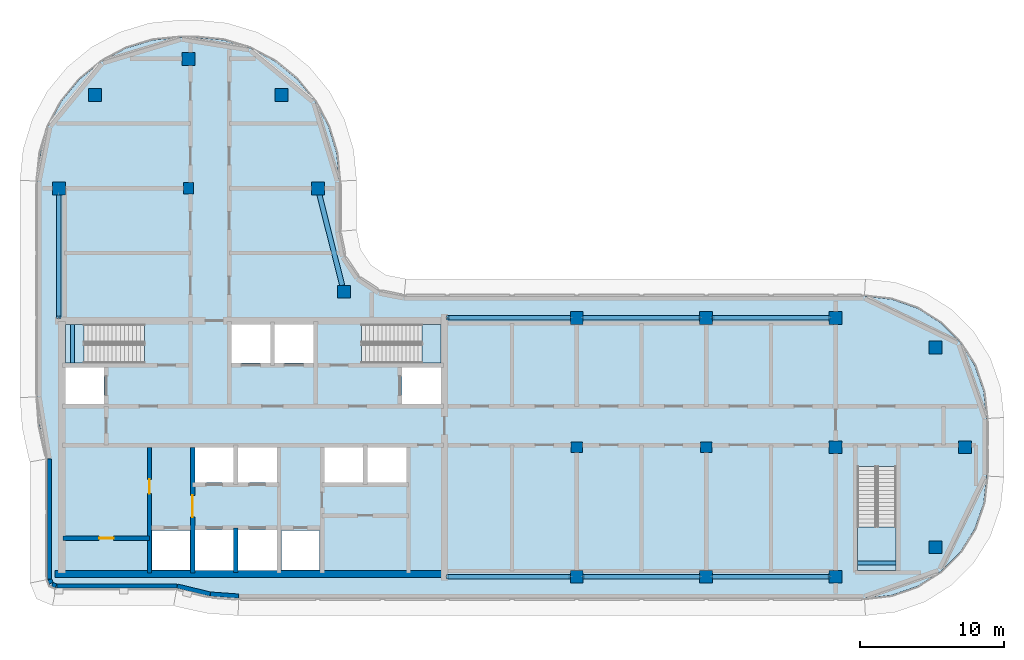
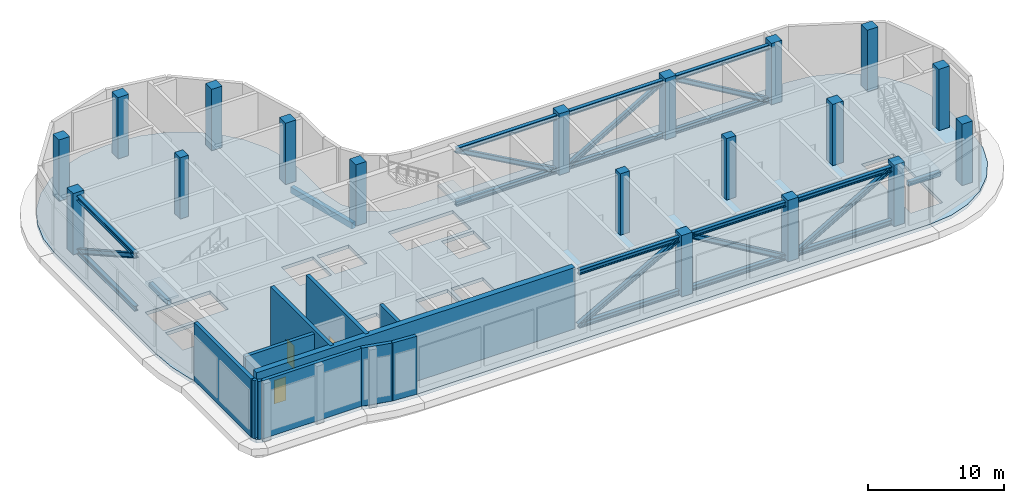
# One storey, part 1 of 14: 21 members, 19 columns, 11 walls, 4 slabs, 3 beams, 3 doors, 3 openings, 3 elements without a shape of their own.
"""IFC4 building model written with IfcOpenShell, lengths in metres."""

from ifc_helpers import new_model, si_unit, direction, frame, frame_2d, origin, origin_2d, place, context, subcontext, project, spatial, polyline, rectangle, i_section, outline, extrude, material, layer, layer_set, material_profile, profile_set, type_object, element, fill, aggregate, save


model = new_model("IFC4")

# Units and contexts
model_context = context("Model", 3, precision=1e-05, world=origin(), true_north=direction((0.0, 1.0)))
body_context = subcontext(model_context, "Body", "Model", "MODEL_VIEW")
ifc_project = project(units=[si_unit("LENGTHUNIT", "METRE"), si_unit("AREAUNIT", "SQUARE_METRE"), si_unit("VOLUMEUNIT", "CUBIC_METRE"), si_unit("PLANEANGLEUNIT", "RADIAN"), si_unit("MASSUNIT", "GRAM", prefix="KILO")], contexts=[model_context])

# Site, building, storey
site_placement = place(None, origin())
site = spatial("IfcSite", under=ifc_project, at=site_placement, CompositionType="ELEMENT")
building_placement = place(site_placement, origin())
building = spatial("IfcBuilding", under=site, at=building_placement, Name="Ogive Portal Towers", CompositionType="ELEMENT")
storey_placement = place(building_placement, frame((0.0, 0.0, 243.89990234375)))
storey = spatial("IfcBuildingStorey", under=building, at=storey_placement, Name="L61", CompositionType="ELEMENT", Elevation=243.89990234375)

# Columns
ifc_material_1 = material(Name="Concrete C60/75", Category="concrete")
ifc_material_profile_1 = material_profile(ifc_material_1, rectangle(XDim=0.800048828125, YDim=0.699951171875, at=origin_2d()), Name="RC 800x700")
ifc_profile_set_1 = profile_set([ifc_material_profile_1], Name="Concrete C60/75")
column_type_1 = type_object("IfcColumnType", Name="COLUMN RC 800x700", PredefinedType="COLUMN", material=ifc_profile_set_1)
for number, where, z_axis, x_axis, name in (
    (1, (67.5, 30.5, 0.0), (0.0, 0.0, 1.0), (1.0, 0.0, 0.0), "Column 5/B L61"),
    (2, (76.5, 30.5, 0.0), (0.0, 0.0, 1.0), (1.0, 0.0, 0.0), "Column 6/B L61"),
    (3, (40.5, 48.5, 0.0), (0.0, 0.0, 1.0), (0.0, 1.0, 0.0), "Column 2/D L61"),
):
    element("IfcColumn", number, at=place(storey_placement, frame(where, z_axis=z_axis, x_axis=x_axis)), inside=storey, type_object=column_type_1, Name=name, PredefinedType="COLUMN", context=body_context, shape_type="SweptSolid", body=[
        extrude(rectangle(XDim=0.800048828125, YDim=0.699951171875, at=origin_2d()), origin(), (0.0, 0.0, 1.0), 5.5),
    ])
ifc_material_profile_2 = material_profile(ifc_material_1, rectangle(XDim=0.89990234375, YDim=0.89990234375, at=origin_2d()), Name="RC 900x900")
ifc_profile_set_2 = profile_set([ifc_material_profile_2], Name="Concrete C60/75")
column_type_2 = type_object("IfcColumnType", Name="COLUMN RC 900x900", PredefinedType="COLUMN", material=ifc_profile_set_2)
for number, where, z_axis, x_axis, name in (
    (4, (67.5, 21.5, 0.0), (0.0, 0.0, 1.0), (1.0, 0.0, 0.0), "Column 5/A L61"),
    (5, (76.5, 21.5, 0.0), (0.0, 0.0, 1.0), (1.0, 0.0, 0.0), "Column 6/A L61"),
    (6, (85.5, 21.5, 0.0), (0.0, 0.0, 1.0), (1.0, 0.0, 0.0), "Column 7/A L61"),
    (7, (92.449951171875, 23.550048828125, 0.0), (0.0, 0.0, 1.0), (1.0, 0.0, 0.0), "Column L61"),
    (8, (85.5, 30.5, 0.0), (0.0, 0.0, 1.0), (1.0, 0.0, 0.0), "Column 7/B L61"),
    (9, (94.5, 30.5, 0.0), (0.0, 0.0, 1.0), (1.0, 0.0, 0.0), "Column 8/B L61"),
    (10, (92.449951171875, 37.449951171875, 0.0), (0.0, 0.0, 1.0), (1.0, 0.0, 0.0), "Column L61"),
    (11, (67.5, 39.5, 0.0), (0.0, 0.0, 1.0), (1.0, 0.0, 0.0), "Column 5/C L61"),
    (12, (76.5, 39.5, 0.0), (0.0, 0.0, 1.0), (1.0, 0.0, 0.0), "Column 6/C L61"),
    (13, (85.5, 39.5, 0.0), (0.0, 0.0, 1.0), (1.0, 0.0, 0.0), "Column 7/C L61"),
    (14, (51.31005859375, 41.31005859375, 0.0), (0.0, 0.0, 1.0), (1.0, 0.0, 0.0), "Column L61"),
    (15, (31.5, 48.5, 0.0), (0.0, 0.0, 1.0), (1.0, 0.0, 0.0), "Column 1/D L61"),
    (16, (49.5, 48.5, 0.0), (0.0, 0.0, 1.0), (1.0, 0.0, 0.0), "Column 3/D L61"),
    (17, (34.027099609375, 54.972900390625, 0.0), (0.0, 0.0, 1.0), (1.0, 0.0, 0.0), "Column L61"),
    (18, (46.972900390625, 54.972900390625, 0.0), (0.0, 0.0, 1.0), (1.0, 0.0, 0.0), "Column L61"),
    (19, (40.5, 57.5, 0.0), (0.0, 0.0, 1.0), (1.0, 0.0, 0.0), "Column 2/E L61"),
):
    element("IfcColumn", number, at=place(storey_placement, frame(where, z_axis=z_axis, x_axis=x_axis)), inside=storey, type_object=column_type_2, Name=name, PredefinedType="COLUMN", context=body_context, shape_type="SweptSolid", body=[
        extrude(rectangle(XDim=0.89990234375, YDim=0.89990234375, at=origin_2d()), origin(), (0.0, 0.0, 1.0), 5.5),
    ])

# Beams
ifc_material_2 = material(Name="Concrete C40/50", Category="concrete")
ifc_material_profile_3 = material_profile(ifc_material_2, rectangle(XDim=0.300048828125, YDim=0.39990234375, at=origin_2d()), Name="RC 300x400")
ifc_profile_set_3 = profile_set([ifc_material_profile_3], Name="Concrete C40/50")
beam_type_1 = type_object("IfcBeamType", Name="BEAM RC 300x400", PredefinedType="BEAM", material=ifc_profile_set_3)
for number, where, z_axis, x_axis, name in (
    (20, (32.449951171875, 36.35009765625, 2.35009765625), (0.0, 1.0, 0.0), (-1.0, 0.0, 0.0), "Landing beam L61"),
    (21, (87.0, 22.449951171875, 2.35009765625), (1.0, 0.0, 0.0), (0.0, 1.0, 0.0), "Landing beam L61"),
):
    element("IfcBeam", number, at=place(storey_placement, frame(where, z_axis=z_axis, x_axis=x_axis)), inside=storey, type_object=beam_type_1, Name=name, PredefinedType="BEAM", context=body_context, shape_type="SweptSolid", body=[
        extrude(rectangle(XDim=0.300048828125, YDim=0.39990234375, at=origin_2d()), origin(), (0.0, 0.0, 1.0), 2.699951171875),
    ])

# Members
ifc_material_3 = material(Name="Steel S355", Category="steel")
ifc_material_profile_4 = material_profile(ifc_material_3, i_section(OverallWidth=0.300048828125, OverallDepth=0.39990234375, WebThickness=0.013427734375, FlangeThickness=0.02392578125, FilletRadius=0.027099609375, at=origin_2d()), Name="HEB 400")
ifc_profile_set_4 = profile_set([ifc_material_profile_4], Name="Steel S355")
member_type_1 = type_object("IfcMemberType", Name="BRACE HEB 400", PredefinedType="BRACE", material=ifc_profile_set_4)
member_placement = place(storey_placement, frame((58.550048828125, 21.5, 0.216064453125), z_axis=(0.872152947724, 0.0, 0.489233314254), x_axis=(0.0, 1.0, 0.0)))
element("IfcMember", 22, at=member_placement, inside=storey, type_object=member_type_1, Name="Outrigger diagonal", PredefinedType="BRACE", context=body_context, shape_type="SweptSolid", body=[
    extrude(i_section(OverallWidth=0.300048828125, OverallDepth=0.39990234375, WebThickness=0.013427734375, FlangeThickness=0.02392578125, FilletRadius=0.027099609375, at=origin_2d()), origin(), (0.0, 0.0, 1.0), 9.74609375),
])
for number, where, z_axis, x_axis, name in (
    (23, (67.949951171875, 21.5, 4.984130859375), (0.861780599125, 0.0, -0.507281183342), (0.0, 1.0, 0.0), "Outrigger diagonal"),
    (24, (76.949951171875, 21.5, 0.216064453125), (0.861780599125, 0.0, 0.507281183342), (0.0, 1.0, 0.0), "Outrigger diagonal"),
    (25, (85.050048828125, 39.5, 0.216064453125), (-0.861780599125, 0.0, 0.507281183342), (0.0, -1.0, 0.0), "Outrigger diagonal"),
    (26, (76.050048828125, 39.5, 4.984130859375), (-0.861780599125, 0.0, -0.507281183342), (0.0, -1.0, 0.0), "Outrigger diagonal"),
):
    element("IfcMember", number, at=place(storey_placement, frame(where, z_axis=z_axis, x_axis=x_axis)), inside=storey, type_object=member_type_1, Name=name, PredefinedType="BRACE", context=body_context, shape_type="SweptSolid", body=[
        extrude(i_section(OverallWidth=0.300048828125, OverallDepth=0.39990234375, WebThickness=0.013427734375, FlangeThickness=0.02392578125, FilletRadius=0.027099609375, at=origin_2d()), origin(), (0.0, 0.0, 1.0), 9.399169921875),
    ])
for number, where, z_axis, x_axis, name in (
    (27, (67.050048828125, 39.5, 0.216064453125), (-0.872152947724, 0.0, 0.489233314254), (0.0, -1.0, 0.0), "Outrigger diagonal"),
    (28, (31.5, 48.050048828125, 0.216064453125), (0.0, -0.872152947724, 0.489233314254), (1.0, 0.0, 0.0), "Outrigger diagonal"),
):
    element("IfcMember", number, at=place(storey_placement, frame(where, z_axis=z_axis, x_axis=x_axis)), inside=storey, type_object=member_type_1, Name=name, PredefinedType="BRACE", context=body_context, shape_type="SweptSolid", body=[
        extrude(i_section(OverallWidth=0.300048828125, OverallDepth=0.39990234375, WebThickness=0.013427734375, FlangeThickness=0.02392578125, FilletRadius=0.027099609375, at=origin_2d()), origin(), (0.0, 0.0, 1.0), 9.74609375),
    ])
ifc_material_profile_5 = material_profile(ifc_material_3, i_section(OverallWidth=0.306884765625, OverallDepth=0.431884765625, WebThickness=0.02099609375, FlangeThickness=0.0400390625, FilletRadius=0.027099609375, at=origin_2d()), Name="HEM 400")
ifc_profile_set_5 = profile_set([ifc_material_profile_5], Name="Steel S355")
member_type_2 = type_object("IfcMemberType", Name="CHORD HEM 400", PredefinedType="CHORD", material=ifc_profile_set_5)
for number, where, z_axis, x_axis, name in (
    (29, (58.550048828125, 21.5, 0.216064453125), (1.0, 0.0, 0.0), (0.0, 1.0, 0.0), "Outrigger bottom chord"),
    (30, (58.550048828125, 21.5, 4.984130859375), (1.0, 0.0, 0.0), (0.0, 1.0, 0.0), "Outrigger top chord"),
):
    element("IfcMember", number, at=place(storey_placement, frame(where, z_axis=z_axis, x_axis=x_axis)), inside=storey, type_object=member_type_2, Name=name, PredefinedType="CHORD", context=body_context, shape_type="SweptSolid", body=[
        extrude(i_section(OverallWidth=0.306884765625, OverallDepth=0.431884765625, WebThickness=0.02099609375, FlangeThickness=0.0400390625, FilletRadius=0.027099609375, at=origin_2d()), origin(), (0.0, 0.0, 1.0), 8.5),
    ])
for number, where, z_axis, x_axis, name in (
    (31, (67.949951171875, 21.5, 0.216064453125), (1.0, 0.0, 0.0), (0.0, 1.0, 0.0), "Outrigger bottom chord"),
    (32, (67.949951171875, 21.5, 4.984130859375), (1.0, 0.0, 0.0), (0.0, 1.0, 0.0), "Outrigger top chord"),
    (33, (76.949951171875, 21.5, 0.216064453125), (1.0, 0.0, 0.0), (0.0, 1.0, 0.0), "Outrigger bottom chord"),
    (34, (76.949951171875, 21.5, 4.984130859375), (1.0, 0.0, 0.0), (0.0, 1.0, 0.0), "Outrigger top chord"),
    (35, (85.050048828125, 39.5, 0.216064453125), (-1.0, 0.0, 0.0), (0.0, -1.0, 0.0), "Outrigger bottom chord"),
    (36, (85.050048828125, 39.5, 4.984130859375), (-1.0, 0.0, 0.0), (0.0, -1.0, 0.0), "Outrigger top chord"),
    (37, (76.050048828125, 39.5, 0.216064453125), (-1.0, 0.0, 0.0), (0.0, -1.0, 0.0), "Outrigger bottom chord"),
    (38, (76.050048828125, 39.5, 4.984130859375), (-1.0, 0.0, 0.0), (0.0, -1.0, 0.0), "Outrigger top chord"),
):
    element("IfcMember", number, at=place(storey_placement, frame(where, z_axis=z_axis, x_axis=x_axis)), inside=storey, type_object=member_type_2, Name=name, PredefinedType="CHORD", context=body_context, shape_type="SweptSolid", body=[
        extrude(i_section(OverallWidth=0.306884765625, OverallDepth=0.431884765625, WebThickness=0.02099609375, FlangeThickness=0.0400390625, FilletRadius=0.027099609375, at=origin_2d()), origin(), (0.0, 0.0, 1.0), 8.10009765625),
    ])
for number, where, z_axis, x_axis, name in (
    (39, (67.050048828125, 39.5, 0.216064453125), (-1.0, 0.0, 0.0), (0.0, -1.0, 0.0), "Outrigger bottom chord"),
    (40, (67.050048828125, 39.5, 4.984130859375), (-1.0, 0.0, 0.0), (0.0, -1.0, 0.0), "Outrigger top chord"),
    (41, (31.5, 48.050048828125, 0.216064453125), (0.0, -1.0, 0.0), (1.0, 0.0, 0.0), "Outrigger bottom chord"),
    (42, (31.5, 48.050048828125, 4.984130859375), (0.0, -1.0, 0.0), (1.0, 0.0, 0.0), "Outrigger top chord"),
):
    element("IfcMember", number, at=place(storey_placement, frame(where, z_axis=z_axis, x_axis=x_axis)), inside=storey, type_object=member_type_2, Name=name, PredefinedType="CHORD", context=body_context, shape_type="SweptSolid", body=[
        extrude(i_section(OverallWidth=0.306884765625, OverallDepth=0.431884765625, WebThickness=0.02099609375, FlangeThickness=0.0400390625, FilletRadius=0.027099609375, at=origin_2d()), origin(), (0.0, 0.0, 1.0), 8.5),
    ])

# Beam
ifc_material_4 = material(Name="Concrete C50/60", Category="concrete")
ifc_material_profile_6 = material_profile(ifc_material_4, rectangle(XDim=0.35009765625, YDim=0.550048828125, at=origin_2d()), Name="RC 350x550")
ifc_profile_set_6 = profile_set([ifc_material_profile_6], Name="Concrete C50/60")
beam_type_2 = type_object("IfcBeamType", Name="SPANDREL BEAM RC 350x550", PredefinedType="BEAM", material=ifc_profile_set_6)
beam_placement = place(storey_placement, frame((49.61328125, 48.050048828125, -0.574951171875), z_axis=(0.244129438789, -0.969742655098, 0.0), x_axis=(0.969742655098, 0.244129438789, 0.0)))
element("IfcBeam", 43, at=beam_placement, inside=storey, type_object=beam_type_2, Name="Spandrel beam L61", PredefinedType="BEAM", context=body_context, shape_type="SweptSolid", body=[
    extrude(rectangle(XDim=0.35009765625, YDim=0.550048828125, at=origin_2d()), origin(), (0.0, 0.0, 1.0), 6.486328125),
])

# Stair, slab
stair_type = type_object("IfcStairType", Name="INT-STAIR", PredefinedType="HALF_TURN_STAIR", material=ifc_material_2)
stair_1_placement = place(storey_placement, origin())
stair_1 = element("IfcStair", 44, at=stair_1_placement, inside=storey, type_object=stair_type, Name="L61 Exit Stair ST-A1", PredefinedType="HALF_TURN_STAIR")
ifc_layer_1 = layer(ifc_material_2, 0.199951171875)
ifc_layer_set_1 = layer_set([ifc_layer_1], Name="INT-LANDING")
slab_type_1 = type_object("IfcSlabType", Name="INT-LANDING", PredefinedType="LANDING", material=ifc_layer_set_1)
slab_1_placement = place(storey_placement, frame((0.0, 0.0, 2.550048828125)))
slab_1 = element("IfcSlab", 45, at=slab_1_placement, type_object=slab_type_1, Name="ST-A1 landing 1", PredefinedType="LANDING", context=body_context, shape_type="SweptSolid", body=[
    extrude(outline(polyline([(33.25, 39.050048828125), (31.949951171875, 39.050048828125), (31.949951171875, 36.35009765625), (33.25, 36.35009765625), (33.25, 39.050048828125)])), origin(), (0.0, 0.0, 1.0), 0.199951171875),
])
aggregate(stair_1, [slab_1])

stair_2_placement = place(storey_placement, origin())
stair_2 = element("IfcStair", 46, at=stair_2_placement, inside=storey, type_object=stair_type, Name="L61 Exit Stair ST-A2", PredefinedType="HALF_TURN_STAIR")
slab_2_placement = place(storey_placement, frame((0.0, 0.0, 2.550048828125)))
slab_2 = element("IfcSlab", 47, at=slab_2_placement, type_object=slab_type_1, Name="ST-A2 landing 1", PredefinedType="LANDING", context=body_context, shape_type="SweptSolid", body=[
    extrude(outline(polyline([(56.75, 36.35009765625), (58.050048828125, 36.35009765625), (58.050048828125, 39.050048828125), (56.75, 39.050048828125), (56.75, 36.35009765625)])), origin(), (0.0, 0.0, 1.0), 0.199951171875),
])
aggregate(stair_2, [slab_2])

stair_3_placement = place(storey_placement, origin())
stair_3 = element("IfcStair", 48, at=stair_3_placement, inside=storey, type_object=stair_type, Name="L61 Exit Stair ST-A4", PredefinedType="HALF_TURN_STAIR")
slab_3_placement = place(storey_placement, frame((0.0, 0.0, 2.550048828125)))
slab_3 = element("IfcSlab", 49, at=slab_3_placement, type_object=slab_type_1, Name="ST-A4 landing 1", PredefinedType="LANDING", context=body_context, shape_type="SweptSolid", body=[
    extrude(outline(polyline([(87.0, 24.969970703125), (87.0, 21.949951171875), (89.699951171875, 21.949951171875), (89.699951171875, 24.969970703125), (87.0, 24.969970703125)])), origin(), (0.0, 0.0, 1.0), 0.199951171875),
])
aggregate(stair_3, [slab_3])

# Slab
ifc_material_5 = material(Name="Concrete C45/55", Category="concrete")
ifc_layer_2 = layer(ifc_material_5, 0.300048828125)
ifc_layer_set_2 = layer_set([ifc_layer_2], Name="PT FLAT PLATE 300")
slab_type_2 = type_object("IfcSlabType", Name="PT FLAT PLATE 300", PredefinedType="FLOOR", material=ifc_layer_set_2)
slab_4_placement = place(storey_placement, frame((0.0, 0.0, -0.2998046875)))
element("IfcSlab", 50, at=slab_4_placement, inside=storey, type_object=slab_type_2, Name="Floor slab L61", PredefinedType="FLOOR", context=body_context, shape_type="SweptSolid", body=[
    extrude(outline(polyline([(30.142578125, 32.007568359375), (30.567138671875, 30.0556640625), (30.699951171875, 29.699462890625), (30.699951171875, 21.300048828125), (30.875732421875, 20.875732421875), (31.300048828125, 20.699951171875), (39.699462890625, 20.699951171875), (40.0556640625, 20.567138671875), (42.007568359375, 20.142578125), (44.0, 20.0), (87.5, 20.0), (89.391357421875, 20.213134765625), (91.18798828125, 20.841796875), (92.7998046875, 21.8544921875), (94.1455078125, 23.2001953125), (95.158203125, 24.81201171875), (95.786865234375, 26.608642578125), (96.0, 28.5), (96.0, 32.5), (95.786865234375, 34.391357421875), (95.158203125, 36.18798828125), (94.1455078125, 37.7998046875), (92.7998046875, 39.1455078125), (91.18798828125, 40.158203125), (89.391357421875, 40.786865234375), (87.5, 41.0), (55.5, 41.0), (53.77783203125, 41.342529296875), (52.318115234375, 42.318115234375), (51.342529296875, 43.77783203125), (51.0, 45.5), (51.0, 49.0), (50.807861328125, 50.950927734375), (50.23876953125, 52.826904296875), (49.314697265625, 54.5556640625), (48.071044921875, 56.071044921875), (46.5556640625, 57.314697265625), (44.826904296875, 58.23876953125), (42.950927734375, 58.807861328125), (41.0, 59.0), (40.0, 59.0), (38.049072265625, 58.807861328125), (36.173095703125, 58.23876953125), (34.4443359375, 57.314697265625), (32.928955078125, 56.071044921875), (31.685302734375, 54.5556640625), (30.76123046875, 52.826904296875), (30.192138671875, 50.950927734375), (30.0, 49.0), (30.0, 34.0), (30.142578125, 32.007568359375)]), holes=[polyline([(40.6298828125, 24.72998046875), (40.6298828125, 21.969970703125), (37.969970703125, 21.969970703125), (37.969970703125, 24.72998046875), (40.6298828125, 24.72998046875)]), polyline([(43.64990234375, 24.75), (43.64990234375, 21.949951171875), (40.949951171875, 21.949951171875), (40.949951171875, 24.75), (43.64990234375, 24.75)]), polyline([(46.64990234375, 24.75), (46.64990234375, 21.949951171875), (43.949951171875, 21.949951171875), (43.949951171875, 24.75), (46.64990234375, 24.75)]), polyline([(43.64990234375, 30.5), (43.64990234375, 28.050048828125), (40.949951171875, 28.050048828125), (40.949951171875, 30.5), (43.64990234375, 30.5)]), polyline([(46.64990234375, 30.5), (46.64990234375, 28.050048828125), (43.949951171875, 28.050048828125), (43.949951171875, 30.5), (46.64990234375, 30.5)]), polyline([(34.64990234375, 36.050048828125), (34.64990234375, 33.5), (31.949951171875, 33.5), (31.949951171875, 36.050048828125), (34.64990234375, 36.050048828125)]), polyline([(31.951904296875, 39.048095703125), (37.447998046875, 39.048095703125), (37.447998046875, 36.35205078125), (31.951904296875, 36.35205078125), (31.951904296875, 39.048095703125)]), polyline([(46.199951171875, 39.050048828125), (46.199951171875, 36.35009765625), (43.5, 36.35009765625), (43.5, 39.050048828125), (46.199951171875, 39.050048828125)]), polyline([(49.6298828125, 21.969970703125), (46.969970703125, 21.969970703125), (46.969970703125, 24.72998046875), (49.6298828125, 24.72998046875), (49.6298828125, 21.969970703125)]), polyline([(87.001953125, 21.951904296875), (87.001953125, 29.16796875), (89.697998046875, 29.16796875), (89.697998046875, 21.951904296875), (87.001953125, 21.951904296875)]), polyline([(52.64990234375, 30.5), (52.64990234375, 28.050048828125), (49.949951171875, 28.050048828125), (49.949951171875, 30.5), (52.64990234375, 30.5)]), polyline([(55.64990234375, 30.5), (55.64990234375, 28.050048828125), (52.949951171875, 28.050048828125), (52.949951171875, 30.5), (55.64990234375, 30.5)]), polyline([(58.050048828125, 36.050048828125), (58.050048828125, 33.5), (55.35009765625, 33.5), (55.35009765625, 36.050048828125), (58.050048828125, 36.050048828125)]), polyline([(49.199951171875, 39.050048828125), (49.199951171875, 36.35009765625), (46.5, 36.35009765625), (46.5, 39.050048828125), (49.199951171875, 39.050048828125)]), polyline([(58.048095703125, 36.35205078125), (52.552001953125, 36.35205078125), (52.552001953125, 39.048095703125), (58.048095703125, 39.048095703125), (58.048095703125, 36.35205078125)])]), origin(), (0.0, 0.0, 1.0), 0.2998046875),
])

# Wall, opening, door
ifc_layer_3 = layer(ifc_material_1, 0.300048828125)
ifc_layer_set_3 = layer_set([ifc_layer_3], Name="CORE WALL 300 C60")
wall_type_1 = type_object("IfcWallType", Name="CORE WALL 300 C60", PredefinedType="SHEAR", material=ifc_layer_set_3)
wall_1_placement = place(storey_placement, frame((37.800048828125, 21.75, 0.0), z_axis=(0.0, 0.0, 1.0), x_axis=(0.0, 1.0, 0.0)))
wall_1 = element("IfcWall", 51, at=wall_1_placement, inside=storey, type_object=wall_type_1, Name="Core wall X1 L61", PredefinedType="SHEAR", context=body_context, shape_type="SweptSolid", body=[
    extrude(rectangle(XDim=8.75, YDim=0.300048828125, at=frame_2d((4.375, 0.0))), origin(), (0.0, 0.0, 1.0), 5.5),
])
opening_1_placement = place(wall_1_placement, frame((5.52490234375, 0.0, 0.0)))
opening_1 = element("IfcOpeningElement", 52, at=opening_1_placement, cuts=wall_1, Name="Opening D27-020", PredefinedType="OPENING", context=body_context, shape_type="SweptSolid", body=[
    extrude(rectangle(XDim=1.0, YDim=2.10009765625, at=frame_2d((0.5, 1.050048828125))), frame((0.0, 0.16015625, 0.0), z_axis=(0.0, -1.0, 0.0), x_axis=(1.0, 0.0, 0.0)), (0.0, 0.0, 1.0), 0.320068359375),
])
ifc_material_6 = material(Name="Steel fire door", Category="steel")
door_type_1 = type_object("IfcDoorType", Name="DT-SWING-1000x2100-FD90S", OperationType="SINGLE_SWING_LEFT", PredefinedType="DOOR", material=ifc_material_6)
door_1_placement = place(opening_1_placement, origin())
door_1 = element("IfcDoor", 53, at=door_1_placement, inside=storey, type_object=door_type_1, Name="Door D27-020", OperationType="SINGLE_SWING_LEFT", OverallHeight=2.10009765625, OverallWidth=1.0, PredefinedType="DOOR", context=body_context, shape_type="SweptSolid", body=[
    extrude(rectangle(XDim=1.0, YDim=2.10009765625, at=frame_2d((0.5, 1.050048828125))), frame((0.0, 0.02490234375, 0.0), z_axis=(0.0, -1.0, 0.0), x_axis=(1.0, 0.0, 0.0)), (0.0, 0.0, 1.0), 0.050048828125),
])
fill(opening_1, door_1)

wall_2_placement = place(storey_placement, frame((40.800048828125, 21.75, 0.0), z_axis=(0.0, 0.0, 1.0), x_axis=(0.0, 1.0, 0.0)))
wall_2 = element("IfcWall", 54, at=wall_2_placement, inside=storey, type_object=wall_type_1, Name="Core wall X2 L61", PredefinedType="SHEAR", context=body_context, shape_type="SweptSolid", body=[
    extrude(rectangle(XDim=8.75, YDim=0.300048828125, at=frame_2d((4.375, 0.0))), origin(), (0.0, 0.0, 1.0), 5.5),
])
opening_2_placement = place(wall_2_placement, frame((3.89990234375, 0.0, 0.0)))
opening_2 = element("IfcOpeningElement", 55, at=opening_2_placement, cuts=wall_2, Name="Opening D27-001", PredefinedType="OPENING", context=body_context, shape_type="SweptSolid", body=[
    extrude(rectangle(XDim=1.5, YDim=2.10009765625, at=frame_2d((0.75, 1.050048828125))), frame((0.0, 0.16015625, 0.0), z_axis=(0.0, -1.0, 0.0), x_axis=(1.0, 0.0, 0.0)), (0.0, 0.0, 1.0), 0.320068359375),
])
door_type_2 = type_object("IfcDoorType", Name="DT-SWING-1500x2100-FD90S", OperationType="SINGLE_SWING_LEFT", PredefinedType="DOOR", material=ifc_material_6)
door_2_placement = place(opening_2_placement, origin())
door_2 = element("IfcDoor", 56, at=door_2_placement, inside=storey, type_object=door_type_2, Name="Door D27-001", OperationType="SINGLE_SWING_RIGHT", OverallHeight=2.10009765625, OverallWidth=1.5, PredefinedType="DOOR", context=body_context, shape_type="SweptSolid", body=[
    extrude(rectangle(XDim=1.5, YDim=2.10009765625, at=frame_2d((0.75, 1.050048828125))), frame((0.0, 0.02490234375, 0.0), z_axis=(0.0, -1.0, 0.0), x_axis=(1.0, 0.0, 0.0)), (0.0, 0.0, 1.0), 0.050048828125),
])
fill(opening_2, door_2)

# Walls
ifc_layer_4 = layer(ifc_material_1, 0.5)
ifc_layer_set_4 = layer_set([ifc_layer_4], Name="CORE WALL 500 C60")
wall_type_2 = type_object("IfcWallType", Name="CORE WALL 500 C60", PredefinedType="SHEAR", material=ifc_layer_set_4)
wall_3_placement = place(storey_placement, frame((31.25, 21.699951171875, 0.0), z_axis=(0.0, 0.0, 1.0), x_axis=(1.0, 0.0, 0.0)))
element("IfcWall", 57, at=wall_3_placement, inside=storey, type_object=wall_type_2, Name="Core wall S L61", PredefinedType="SHEAR", context=body_context, shape_type="SweptSolid", body=[
    extrude(rectangle(XDim=27.0, YDim=0.5, at=frame_2d((13.5, 0.0))), origin(), (0.0, 0.0, 1.0), 5.5),
])
ifc_material_7 = material(Name="Limestone cladding on lightweight block wall", Category="masonry")
ifc_layer_5 = layer(ifc_material_7, 0.300048828125)
ifc_layer_set_5 = layer_set([ifc_layer_5], Name="EXTERNAL WALL 300 STONE")
wall_type_3 = type_object("IfcWallType", Name="EXTERNAL WALL 300 STONE", PredefinedType="SOLIDWALL", material=ifc_layer_set_5)
wall_4_placement = place(storey_placement, frame((30.85009765625, 29.699462890625, 0.0), z_axis=(0.0, 0.0, 1.0), x_axis=(0.0, -1.0, 0.0)))
element("IfcWall", 58, at=wall_4_placement, inside=storey, type_object=wall_type_3, Name="A:L61:f00:r0:wall", PredefinedType="SOLIDWALL", context=body_context, shape_type="SweptSolid", body=[
    extrude(rectangle(XDim=8.33984375, YDim=0.300048828125, at=frame_2d((4.169921875, 0.0))), origin(), (0.0, 0.0, 1.0), 5.2001953125),
])
for number, where, z_axis, x_axis, name in (
    (59, (30.861328125, 21.30224609375, 0.0), (0.0, 0.0, 1.0), (0.38297812142, -0.923757413239, 0.0), "A:L61:f01:r0:wall"),
    (60, (31.0478515625, 20.966796875, 0.0), (0.0, 0.0, 1.0), (0.923757413239, -0.38297812142, 0.0), "A:L61:f02:r0:wall"),
):
    element("IfcWall", number, at=place(storey_placement, frame(where, z_axis=z_axis, x_axis=x_axis)), inside=storey, type_object=wall_type_3, Name=name, PredefinedType="SOLIDWALL", context=body_context, shape_type="SweptSolid", body=[
        extrude(rectangle(XDim=0.275390625, YDim=0.300048828125, at=frame_2d((0.1376953125, 0.0))), origin(), (0.0, 0.0, 1.0), 5.2001953125),
    ])
wall_5_placement = place(storey_placement, frame((31.359619140625, 20.85009765625, 0.0), z_axis=(0.0, 0.0, 1.0), x_axis=(1.0, 0.0, 0.0)))
element("IfcWall", 61, at=wall_5_placement, inside=storey, type_object=wall_type_3, Name="A:L61:f03:r0:wall", PredefinedType="SOLIDWALL", context=body_context, shape_type="SweptSolid", body=[
    extrude(rectangle(XDim=8.33984375, YDim=0.300048828125, at=frame_2d((4.169921875, 0.0))), origin(), (0.0, 0.0, 1.0), 5.2001953125),
])
wall_6_placement = place(storey_placement, frame((39.734619140625, 20.845703125, 0.0), z_axis=(0.0, 0.0, 1.0), x_axis=(0.97206095595, -0.234728562212, 0.0)))
element("IfcWall", 62, at=wall_6_placement, inside=storey, type_object=wall_type_3, Name="A:L61:f04:r0:wall", PredefinedType="SOLIDWALL", context=body_context, shape_type="SweptSolid", body=[
    extrude(rectangle(XDim=2.349609375, YDim=0.300048828125, at=frame_2d((1.1748046875, 0.0))), origin(), (0.0, 0.0, 1.0), 5.2001953125),
])
wall_7_placement = place(storey_placement, frame((42.043212890625, 20.290283203125, 0.0), z_axis=(0.0, 0.0, 1.0), x_axis=(0.997454275884, -0.071308958214, 0.0)))
element("IfcWall", 63, at=wall_7_placement, inside=storey, type_object=wall_type_3, Name="A:L61:f05:r0:wall", PredefinedType="SOLIDWALL", context=body_context, shape_type="SweptSolid", body=[
    extrude(rectangle(XDim=1.961669921875, YDim=0.300048828125, at=frame_2d((0.98095703125, 0.0))), origin(), (0.0, 0.0, 1.0), 5.2001953125),
])

# Wall, opening, door
ifc_material_8 = material(Name="Gypsum board partition on steel studs", Category="steel")
ifc_layer_6 = layer(ifc_material_8, 0.300048828125)
ifc_layer_set_6 = layer_set([ifc_layer_6], Name="WT-PART-300")
wall_type_4 = type_object("IfcWallType", Name="WT-PART-300", PredefinedType="PARTITIONING", material=ifc_layer_set_6)
wall_8_placement = place(storey_placement, frame((31.800048828125, 24.173095703125, 0.0), z_axis=(0.0, 0.0, 1.0), x_axis=(1.0, 0.0, 0.0)))
wall_8 = element("IfcWall", 64, at=wall_8_placement, inside=storey, type_object=wall_type_4, Name="Wall pw:001:L61", PredefinedType="PARTITIONING", context=body_context, shape_type="SweptSolid", body=[
    extrude(rectangle(XDim=6.0, YDim=0.300048828125, at=frame_2d((3.0, 0.0))), origin(), (0.0, 0.0, 1.0), 5.2001953125),
])
opening_3_placement = place(wall_8_placement, frame((2.5, 0.0, 0.0)))
opening_3 = element("IfcOpeningElement", 65, at=opening_3_placement, cuts=wall_8, Name="Opening D27-021", PredefinedType="OPENING", context=body_context, shape_type="SweptSolid", body=[
    extrude(rectangle(XDim=1.0, YDim=2.10009765625, at=frame_2d((0.5, 1.050048828125))), frame((0.0, 0.16015625, 0.0), z_axis=(0.0, -1.0, 0.0), x_axis=(1.0, 0.0, 0.0)), (0.0, 0.0, 1.0), 0.320068359375),
])
door_type_3 = type_object("IfcDoorType", Name="DT-SWING-1000x2100-FD60S", OperationType="SINGLE_SWING_LEFT", PredefinedType="DOOR", material=ifc_material_6)
door_3_placement = place(opening_3_placement, origin())
door_3 = element("IfcDoor", 66, at=door_3_placement, inside=storey, type_object=door_type_3, Name="Riser access door D27-021", OperationType="SINGLE_SWING_RIGHT", OverallHeight=2.10009765625, OverallWidth=1.0, PredefinedType="DOOR", context=body_context, shape_type="SweptSolid", body=[
    extrude(rectangle(XDim=1.0, YDim=2.10009765625, at=frame_2d((0.5, 1.050048828125))), frame((0.0, 0.02490234375, 0.0), z_axis=(0.0, -1.0, 0.0), x_axis=(1.0, 0.0, 0.0)), (0.0, 0.0, 1.0), 0.050048828125),
])
fill(opening_3, door_3)

# Wall
ifc_layer_7 = layer(ifc_material_2, 0.300048828125)
ifc_layer_set_7 = layer_set([ifc_layer_7], Name="WT-SHAFT-300")
wall_type_5 = type_object("IfcWallType", Name="WT-SHAFT-300", PredefinedType="SOLIDWALL", material=ifc_layer_set_7)
wall_9_placement = place(storey_placement, frame((43.800048828125, 21.800048828125, 0.0), z_axis=(0.0, 0.0, 1.0), x_axis=(0.0, 1.0, 0.0)))
element("IfcWall", 67, at=wall_9_placement, inside=storey, type_object=wall_type_5, Name="Wall pw:007:L61", PredefinedType="SOLIDWALL", context=body_context, shape_type="SweptSolid", body=[
    extrude(rectangle(XDim=3.099853515625, YDim=0.300048828125, at=frame_2d((1.5498046875, 0.0))), origin(), (0.0, 0.0, 1.0), 5.2001953125),
])

save(model, "model.ifc")
